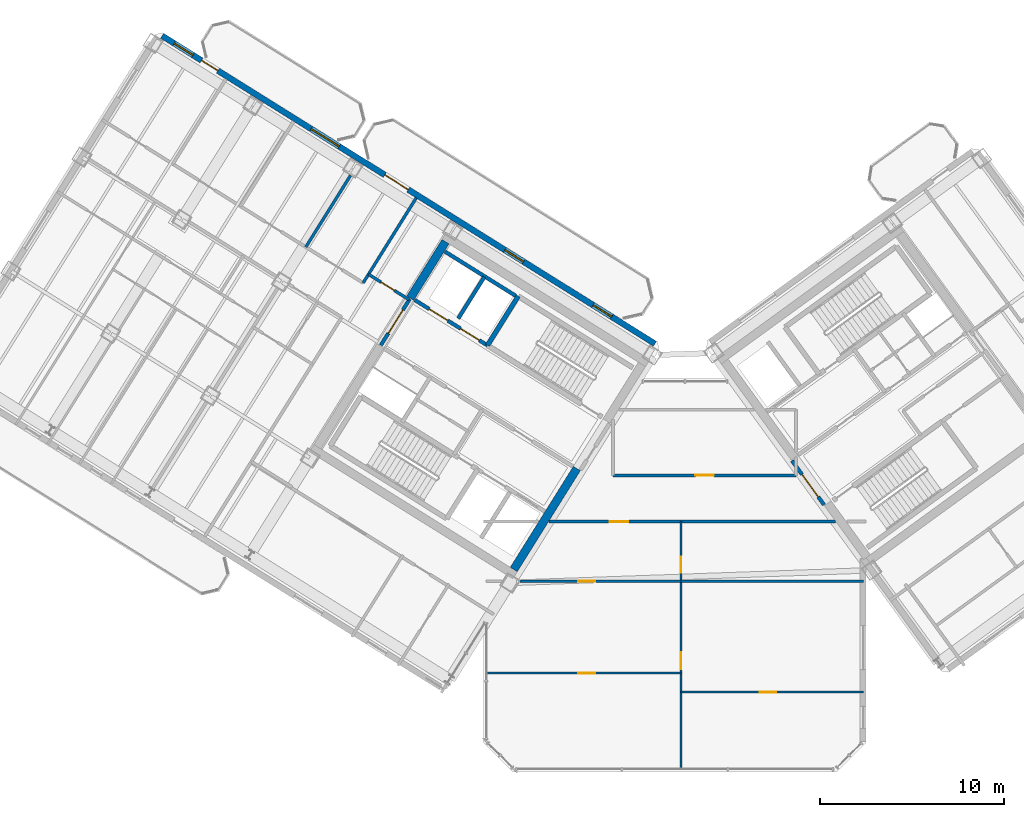
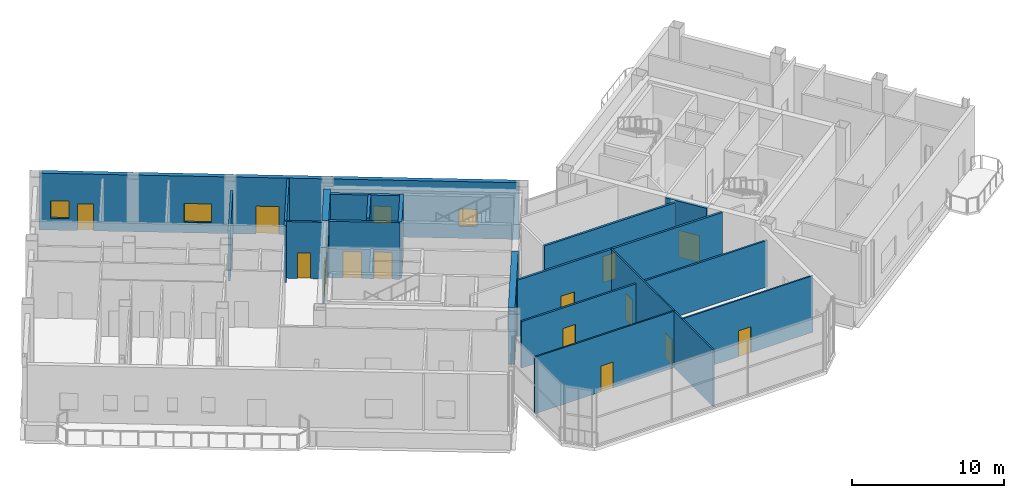
# One storey, part 18 of 26: 19 walls, 14 doors, 4 windows, 18 openings.
"""IFC4 building model written with IfcOpenShell, lengths in metres."""

import ifcopenshell
import ifcopenshell.guid

model = None  # the IFC model being written
_history = None  # IfcOwnerHistory: only IFC2X3 demands one
_inside = {}  # id of a spatial element -> (the spatial element, [elements in it])
_under = {}  # id of a project, library or spatial element -> (it, [spatial elements below it])
_declared = {}  # id of a project -> (the project, [libraries it declares])
_typed = {}  # id of a type object -> (the type object, [elements of that type])
_made_of = {}  # id of a material, layer set ... -> (it, [elements and type objects made of it])


def new_model(schema):
    """Start an empty IFC model of exactly this schema.

    Asked for "IFC4X3", IfcOpenShell would pick the latest addendum, in which some entities
    have other attributes; the version numbers below select the first issue.
    IFC2X3 requires an IfcOwnerHistory on every rooted entity: one is made here for all.
    """
    global model, _history
    if schema == "IFC4X3":
        model = ifcopenshell.file(schema_version=(4, 3, 0, 0))
    else:
        model = ifcopenshell.file(schema=schema)
    _inside.clear()
    _under.clear()
    _declared.clear()
    _typed.clear()
    _made_of.clear()
    _history = None
    if model.schema == "IFC2X3":
        org = make("IfcOrganization", Name="unknown")
        user = make(
            "IfcPersonAndOrganization",
            ThePerson=make("IfcPerson", FamilyName="unknown"),
            TheOrganization=org,
        )
        app = make(
            "IfcApplication",
            ApplicationDeveloper=org,
            Version="unknown",
            ApplicationFullName="unknown",
            ApplicationIdentifier="unknown",
        )
        _history = make(
            "IfcOwnerHistory",
            OwningUser=user,
            OwningApplication=app,
            ChangeAction="ADDED",
            CreationDate=0,
        )
    return model


def make(cls, **values):
    """One entity of the class cls with the attributes given. An attribute that is None is left unset."""
    return model.create_entity(
        cls, **{name: value for name, value in values.items() if value is not None}
    )


def rooted(cls, **values):
    """An entity with a GlobalId (a new one), such as an element, a storey or a relation."""
    return make(cls, GlobalId=ifcopenshell.guid.new(), OwnerHistory=_history, **values)


def si_unit(unit_type, name, prefix=None):
    """IfcSIUnit, for example si_unit("LENGTHUNIT", "METRE", prefix="MILLI")."""
    return make("IfcSIUnit", UnitType=unit_type, Prefix=prefix, Name=name)


def assignment(units):
    """IfcUnitAssignment: the units of a project."""
    return None if units is None else make("IfcUnitAssignment", Units=units)


def point(xyz):
    """IfcCartesianPoint."""
    return None if xyz is None else make("IfcCartesianPoint", Coordinates=xyz)


def direction(xyz):
    """IfcDirection."""
    return None if xyz is None else make("IfcDirection", DirectionRatios=xyz)


def frame(location, z_axis=None, x_axis=None):
    """IfcAxis2Placement3D, a coordinate frame: its origin and axes. An axis left out is left unset."""
    return make(
        "IfcAxis2Placement3D",
        Location=point(location),
        Axis=direction(z_axis),
        RefDirection=direction(x_axis),
    )


def frame_2d(location, x_axis=None):
    """IfcAxis2Placement2D, a coordinate frame in the plane: its origin and x axis."""
    return make(
        "IfcAxis2Placement2D", Location=point(location), RefDirection=direction(x_axis)
    )


def origin():
    """The frame at (0, 0, 0) with its axes left unset."""
    return frame((0.0, 0.0, 0.0))


def place(relative_to, where):
    """IfcLocalPlacement: puts the frame where relative to a parent placement (None: the world)."""
    return make(
        "IfcLocalPlacement", PlacementRelTo=relative_to, RelativePlacement=where
    )


def context(
    kind, dimensions, precision=None, world=None, true_north=None, identifier=None
):
    """IfcGeometricRepresentationContext, for example the 3D "Model" context."""
    return make(
        "IfcGeometricRepresentationContext",
        ContextIdentifier=identifier,
        ContextType=kind,
        CoordinateSpaceDimension=dimensions,
        Precision=precision,
        WorldCoordinateSystem=world,
        TrueNorth=true_north,
    )


def subcontext(parent, identifier, kind, view, scale=None):
    """IfcGeometricRepresentationSubContext, for example "Body" below "Model"."""
    return make(
        "IfcGeometricRepresentationSubContext",
        ContextIdentifier=identifier,
        ContextType=kind,
        ParentContext=parent,
        TargetScale=scale,
        TargetView=view,
    )


def project(units=None, contexts=None):
    """IfcProject with its units and contexts."""
    return rooted(
        "IfcProject",
        Name="project",
        RepresentationContexts=contexts,
        UnitsInContext=assignment(units),
    )


def spatial(cls, under=None, at=None, **own):
    """A site, building, storey or space (cls), placed at a placement, below another one or the project."""
    s = rooted(cls, ObjectPlacement=at, **own)
    if under is not None:
        _under.setdefault(under.id(), (under, []))[1].append(s)
    return s


def profile(cls, at=None, kind="AREA", **sizes):
    """A parametric profile (cls). Its sizes go by their IFC names, for example OverallWidth=200.0."""
    return make(cls, ProfileType=kind, Position=at, **sizes)


def rectangle(**sizes):
    """IfcRectangleProfileDef."""
    return profile("IfcRectangleProfileDef", **sizes)


def extrude(swept, where, along, depth):
    """IfcExtrudedAreaSolid: the profile swept, set in the frame where, extruded along a direction by depth."""
    return make(
        "IfcExtrudedAreaSolid",
        SweptArea=swept,
        Position=where,
        ExtrudedDirection=direction(along),
        Depth=depth,
    )


def shape(context_of_items, identifier, shape_type, items):
    """IfcShapeRepresentation: the items that make up one representation, for example the "Body"."""
    return make(
        "IfcShapeRepresentation",
        ContextOfItems=context_of_items,
        RepresentationIdentifier=identifier,
        RepresentationType=shape_type,
        Items=items,
    )


def source(mapping_origin, context_of_items, identifier, shape_type, items):
    """IfcRepresentationMap: a shape defined once, which mapped items show again and again."""
    return make(
        "IfcRepresentationMap",
        MappingOrigin=mapping_origin,
        MappedRepresentation=shape(context_of_items, identifier, shape_type, items),
    )


def transform(
    local_origin,
    x_axis=None,
    y_axis=None,
    z_axis=None,
    scale=None,
    scale2=None,
    scale3=None,
    uniform=True,
):
    """IfcCartesianTransformationOperator3D, or its non-uniform kind. x_axis, y_axis, z_axis: its Axis1, 2, 3."""
    if uniform:
        return make(
            "IfcCartesianTransformationOperator3D",
            Axis1=direction(x_axis),
            Axis2=direction(y_axis),
            LocalOrigin=point(local_origin),
            Scale=scale,
            Axis3=direction(z_axis),
        )
    return make(
        "IfcCartesianTransformationOperator3DnonUniform",
        Axis1=direction(x_axis),
        Axis2=direction(y_axis),
        LocalOrigin=point(local_origin),
        Scale=scale,
        Axis3=direction(z_axis),
        Scale2=scale2,
        Scale3=scale3,
    )


def mapped(mapping_source, mapping_target):
    """IfcMappedItem: shows the shape of a source again, moved by a transform."""
    return make(
        "IfcMappedItem", MappingSource=mapping_source, MappingTarget=mapping_target
    )


def material(Name=None, Category=None):
    """IfcMaterial."""
    return make("IfcMaterial", Name=Name, Category=Category)


def layer(
    of_material, thickness, ventilated=None, Name=None, Category=None, Priority=None
):
    """IfcMaterialLayer: one layer of a wall or slab, of a material (None: an air gap)."""
    return make(
        "IfcMaterialLayer",
        Material=of_material,
        LayerThickness=thickness,
        IsVentilated=ventilated,
        Name=Name,
        Category=Category,
        Priority=Priority,
    )


def layer_set(layers, Name=None):
    """IfcMaterialLayerSet."""
    return make("IfcMaterialLayerSet", MaterialLayers=layers, LayerSetName=Name)


def made_of(thing, what):
    """Note that an element or type object is made of a material, layer set ...; save() writes the relation."""
    if what is not None:
        _made_of.setdefault(what.id(), (what, []))[1].append(thing)
    return thing


def type_object(cls, material=None, **own):
    """A type object (cls), such as IfcWallType, which elements share."""
    return made_of(rooted(cls, **own), material)


def element(
    cls,
    number,
    at=None,
    inside=None,
    cuts=None,
    type_object=None,
    material=None,
    context=None,
    identifier="Body",
    shape_type=None,
    held_by="IfcProductDefinitionShape",
    body=None,
    shapes=None,
    **own,
):
    """One element of the class cls, such as IfcWall. Its Tag is "e" and its number.

    at: its placement. inside: the storey or other place that contains it. cuts: it is an
    opening in that element (IfcRelVoidsElement). A single representation is given by context,
    identifier, shape_type and body (its items); several are given by shapes. held_by: the class
    of the entity that holds the representations. save() writes the other relations.
    """
    e = rooted(cls, Tag="e%d" % number, ObjectPlacement=at, **own)
    if body is not None:
        shapes = [shape(context, identifier, shape_type, body)]
    if shapes is not None:
        e.Representation = make(held_by, Representations=shapes)
    if inside is not None:
        _inside.setdefault(inside.id(), (inside, []))[1].append(e)
    if cuts is not None:
        rooted(
            "IfcRelVoidsElement", RelatingBuildingElement=cuts, RelatedOpeningElement=e
        )
    if type_object is not None:
        _typed.setdefault(type_object.id(), (type_object, []))[1].append(e)
    return made_of(e, material)


def fill(opening, filler):
    """IfcRelFillsElement: the door or window that sits in an opening."""
    return rooted(
        "IfcRelFillsElement",
        RelatingOpeningElement=opening,
        RelatedBuildingElement=filler,
    )


def aggregate(whole, parts):
    """IfcRelAggregates: a whole, such as a stair, and the parts it consists of."""
    return rooted("IfcRelAggregates", RelatingObject=whole, RelatedObjects=parts)


def save(model, path):
    """Write the relations noted so far, then the file.

    IfcRelAggregates (storeys below a building ...), IfcRelContainedInSpatialStructure (elements
    in a storey), IfcRelDefinesByType, IfcRelAssociatesMaterial and IfcRelDeclares: one each for
    every whole, place, type object, material and project.
    """
    for whole, parts in _under.values():
        aggregate(whole, parts)
    for where, things in _inside.values():
        rooted(
            "IfcRelContainedInSpatialStructure",
            RelatedElements=things,
            RelatingStructure=where,
        )
    for kind, things in _typed.values():
        rooted("IfcRelDefinesByType", RelatedObjects=things, RelatingType=kind)
    for what, things in _made_of.values():
        rooted("IfcRelAssociatesMaterial", RelatedObjects=things, RelatingMaterial=what)
    for by, libraries in _declared.values():
        rooted("IfcRelDeclares", RelatingContext=by, RelatedDefinitions=libraries)
    model.write(path)


model = new_model("IFC4")

# Units and contexts
model_context = context("Model", 3, precision=1e-05, world=origin(), true_north=direction((0.0, 1.0)))
body_context = subcontext(model_context, "Body", "Model", "MODEL_VIEW")
ifc_project = project(units=[si_unit("LENGTHUNIT", "METRE"), si_unit("AREAUNIT", "SQUARE_METRE"), si_unit("VOLUMEUNIT", "CUBIC_METRE"), si_unit("PLANEANGLEUNIT", "RADIAN"), si_unit("MASSUNIT", "GRAM", prefix="KILO")], contexts=[model_context])

# Site, building, storey
site_placement = place(None, origin())
site = spatial("IfcSite", under=ifc_project, at=site_placement, CompositionType="ELEMENT")
building_placement = place(site_placement, origin())
building = spatial("IfcBuilding", under=site, at=building_placement, Name="Tlacorven Tower", CompositionType="ELEMENT")
storey_placement = place(building_placement, frame((0.0, 0.0, 233.699951171875)))
storey = spatial("IfcBuildingStorey", under=building, at=storey_placement, Name="L59", CompositionType="ELEMENT", Elevation=233.699951171875)

# Walls
ifc_material_1 = material(Name="Concrete C50/60", Category="concrete")
ifc_layer_1 = layer(ifc_material_1, 0.449951171875)
ifc_layer_set_1 = layer_set([ifc_layer_1], Name="Concrete C50/60")
wall_type_1 = type_object("IfcWallType", Name="WL-COR-450", PredefinedType="SHEAR", material=ifc_layer_set_1)
wall_1_placement = place(storey_placement, frame((36.683349609375, 18.30419921875, 0.0), z_axis=(0.0, 0.0, 1.0), x_axis=(-0.529904039071, -0.848057609704, 0.0)))
element("IfcWall", 1, at=wall_1_placement, inside=storey, type_object=wall_type_1, Name="L59 W core end wall E1.2", PredefinedType="SHEAR", context=body_context, shape_type="SweptSolid", body=[
    extrude(rectangle(XDim=6.47509765625, YDim=0.449951171875, at=frame_2d((3.237548828125, 0.0))), origin(), (0.0, 0.0, 1.0), 4.550048828125),
])
wall_2_placement = place(storey_placement, frame((29.543701171875, 30.636474609375, 0.0), z_axis=(0.0, 0.0, 1.0), x_axis=(-0.529902075036, -0.848058836916, 0.0)))
element("IfcWall", 2, at=wall_2_placement, inside=storey, type_object=wall_type_1, Name="L59 W core end wall E2.1", PredefinedType="SHEAR", context=body_context, shape_type="SweptSolid", body=[
    extrude(rectangle(XDim=3.625, YDim=0.449951171875, at=frame_2d((1.8125, 0.0))), origin(), (0.0, 0.0, 1.0), 4.550048828125),
])

# Wall, opening, door
ifc_material_2 = material(Name="Gypsum plasterboard acoustic partition", Category="gypsum")
ifc_layer_2 = layer(ifc_material_2, 0.159912109375)
ifc_layer_set_2 = layer_set([ifc_layer_2], Name="Gypsum plasterboard acoustic partition")
wall_type_2 = type_object("IfcWallType", Name="WL-DEM-160", PredefinedType="PARTITIONING", material=ifc_layer_set_2)
wall_3_placement = place(storey_placement, frame((27.56982421875, 27.4775390625, 0.0), z_axis=(0.0, 0.0, 1.0), x_axis=(-0.848050851465, 0.529914854792, 0.0)))
wall_3 = element("IfcWall", 3, at=wall_3_placement, inside=storey, type_object=wall_type_2, Name="L59 partition 39", PredefinedType="PARTITIONING", context=body_context, shape_type="SweptSolid", body=[
    extrude(rectangle(XDim=2.60986328125, YDim=0.159912109375, at=frame_2d((1.304931640625, 0.0))), origin(), (0.0, 0.0, 1.0), 4.5400390625),
])
opening_1_placement = place(wall_3_placement, frame((0.949951171875, 0.0, 0.0)))
opening_1 = element("IfcOpeningElement", 4, at=opening_1_placement, cuts=wall_3, Name="Opening D19", PredefinedType="OPENING", context=body_context, shape_type="SweptSolid", body=[
    extrude(rectangle(XDim=0.860107421875, YDim=2.050048828125, at=frame_2d((0.43017578125, 1.02490234375))), frame((0.0, 0.08984375, 0.0), z_axis=(0.0, -1.0, 0.0), x_axis=(1.0, 0.0, 0.0)), (0.0, 0.0, 1.0), 0.179931640625),
])
ifc_material_3 = material(Name="Fire-rated steel door assembly", Category="steel")
door_type_1 = type_object("IfcDoorType", Name="DR-RSR-FD60-0860", OperationType="NOTDEFINED", PredefinedType="DOOR", material=ifc_material_3)
shared_shape_1 = source(origin(), body_context, "Body", "SweptSolid", [
    extrude(rectangle(XDim=0.860107421875, YDim=2.050048828125, at=frame_2d((0.43017578125, 1.02490234375))), frame((0.0, 0.02490234375, 0.0), z_axis=(0.0, -1.0, 0.0), x_axis=(1.0, 0.0, 0.0)), (0.0, 0.0, 1.0), 0.050048828125),
])
door_1_placement = place(opening_1_placement, frame((0.860107421875, 0.0, 0.0), z_axis=(0.0, 0.0, 1.0), x_axis=(-1.0, 0.0, 0.0)))
door_1 = element("IfcDoor", 5, at=door_1_placement, inside=storey, type_object=door_type_1, Name="L59 door 022", OperationType="SINGLE_SWING_LEFT", OverallHeight=2.050048828125, OverallWidth=0.860107421875, PredefinedType="DOOR", context=body_context, shape_type="MappedRepresentation", body=[
    mapped(shared_shape_1, transform((0.0, 0.0, 0.0), scale=1.0)),
])
fill(opening_1, door_1)

# Walls
wall_4_placement = place(storey_placement, frame((27.952880859375, 33.01611328125, 0.0), z_axis=(0.0, 0.0, 1.0), x_axis=(-0.529906322364, -0.848056182997, 0.0)))
element("IfcWall", 6, at=wall_4_placement, inside=storey, type_object=wall_type_2, Name="L59 partition 41", PredefinedType="PARTITIONING", context=body_context, shape_type="SweptSolid", body=[
    extrude(rectangle(XDim=5.449951171875, YDim=0.159912109375, at=frame_2d((2.72509765625, 0.0))), origin(), (0.0, 0.0, 1.0), 4.5400390625),
])
wall_5_placement = place(storey_placement, frame((24.378662109375, 34.23291015625, 0.0), z_axis=(0.0, 0.0, 1.0), x_axis=(-0.529922402838, -0.84804613493, 0.0)))
element("IfcWall", 7, at=wall_5_placement, inside=storey, type_object=wall_type_2, Name="L59 partition 58", PredefinedType="PARTITIONING", context=body_context, shape_type="SweptSolid", body=[
    extrude(rectangle(XDim=4.587646484375, YDim=0.159912109375, at=frame_2d((2.2939453125, 0.0))), origin(), (0.0, 0.0, 1.0), 4.074951171875),
])

# Wall, opening, door
wall_6_placement = place(storey_placement, frame((35.178466796875, 15.419921875, 0.0), z_axis=(0.0, 0.0, 1.0), x_axis=(1.0, 0.0, 0.0)))
wall_6 = element("IfcWall", 8, at=wall_6_placement, inside=storey, type_object=wall_type_2, Name="L59 Knuckle Corridor South Wall", PredefinedType="PARTITIONING", context=body_context, shape_type="SweptSolid", body=[
    extrude(rectangle(XDim=15.55224609375, YDim=0.159912109375, at=frame_2d((7.776123046875, 0.0))), origin(), (0.0, 0.0, 1.0), 4.5400390625),
])
opening_2_placement = place(wall_6_placement, frame((3.293701171875, 0.0, 0.0)))
opening_2 = element("IfcOpeningElement", 9, at=opening_2_placement, cuts=wall_6, Name="Opening D11", PredefinedType="OPENING", context=body_context, shape_type="SweptSolid", body=[
    extrude(rectangle(XDim=1.0, YDim=2.10009765625, at=frame_2d((0.5, 1.050048828125))), frame((0.0, 0.08984375, 0.0), z_axis=(0.0, -1.0, 0.0), x_axis=(1.0, 0.0, 0.0)), (0.0, 0.0, 1.0), 0.179931640625),
])
door_type_2 = type_object("IfcDoorType", Name="DR-FLT-FD60-1000", OperationType="NOTDEFINED", PredefinedType="DOOR", material=ifc_material_3)
shared_shape_2 = source(origin(), body_context, "Body", "SweptSolid", [
    extrude(rectangle(XDim=1.0, YDim=2.10009765625, at=frame_2d((0.5, 1.050048828125))), frame((0.0, 0.02490234375, 0.0), z_axis=(0.0, -1.0, 0.0), x_axis=(1.0, 0.0, 0.0)), (0.0, 0.0, 1.0), 0.050048828125),
])
door_2_placement = place(opening_2_placement, frame((1.0, 0.0, 0.0), z_axis=(0.0, 0.0, 1.0), x_axis=(-1.0, 0.0, 0.0)))
door_2 = element("IfcDoor", 10, at=door_2_placement, inside=storey, type_object=door_type_2, Name="L59 door 050", OperationType="SINGLE_SWING_LEFT", OverallHeight=2.10009765625, OverallWidth=1.0, PredefinedType="DOOR", context=body_context, shape_type="MappedRepresentation", body=[
    mapped(shared_shape_2, transform((0.0, 0.0, 0.0), scale=1.0)),
])
fill(opening_2, door_2)

wall_7_placement = place(storey_placement, frame((38.64990234375, 17.929931640625, 0.0), z_axis=(0.0, 0.0, 1.0), x_axis=(1.0, 0.0, 0.0)))
wall_7 = element("IfcWall", 11, at=wall_7_placement, inside=storey, type_object=wall_type_2, Name="L59 partition 68", PredefinedType="PARTITIONING", context=body_context, shape_type="SweptSolid", body=[
    extrude(rectangle(XDim=9.9501953125, YDim=0.159912109375, at=frame_2d((4.97509765625, 0.0))), origin(), (0.0, 0.0, 1.0), 4.5400390625),
])
opening_3_placement = place(wall_7_placement, frame((4.47509765625, 0.0, 0.0)))
opening_3 = element("IfcOpeningElement", 12, at=opening_3_placement, cuts=wall_7, Name="Opening D11", PredefinedType="OPENING", context=body_context, shape_type="SweptSolid", body=[
    extrude(rectangle(XDim=1.0, YDim=2.10009765625, at=frame_2d((0.5, 1.050048828125))), frame((0.0, 0.08984375, 0.0), z_axis=(0.0, -1.0, 0.0), x_axis=(1.0, 0.0, 0.0)), (0.0, 0.0, 1.0), 0.179931640625),
])
door_3_placement = place(opening_3_placement, origin())
door_3 = element("IfcDoor", 13, at=door_3_placement, inside=storey, type_object=door_type_2, Name="L59 door 044", OperationType="SINGLE_SWING_LEFT", OverallHeight=2.10009765625, OverallWidth=1.0, PredefinedType="DOOR", context=body_context, shape_type="MappedRepresentation", body=[
    mapped(shared_shape_2, transform((0.0, 0.0, 0.0), scale=1.0)),
])
fill(opening_3, door_3)

# Wall, openings, doors, windows
ifc_material_4 = material(Name="Precast concrete C45/55", Category="concrete")
ifc_layer_3 = layer(ifc_material_4, 0.320068359375)
ifc_layer_set_3 = layer_set([ifc_layer_3], Name="Precast concrete C45/55")
wall_type_3 = type_object("IfcWallType", Name="WL-EXT-320", PredefinedType="STANDARD", material=ifc_layer_set_3)
wall_8_placement = place(storey_placement, frame((14.13818359375, 41.825439453125, 0.0), z_axis=(0.0, 0.0, 1.0), x_axis=(0.848046498049, -0.529921821731, 0.0)))
wall_8 = element("IfcWall", 14, at=wall_8_placement, inside=storey, type_object=wall_type_3, Name="L59 Masonry-Frame Recessed Facade Wall 3", PredefinedType="STANDARD", context=body_context, shape_type="SweptSolid", body=[
    extrude(rectangle(XDim=31.587646484375, YDim=0.320068359375, at=frame_2d((15.7939453125, 0.0))), origin(), (0.0, 0.0, 1.0), 4.550048828125),
])
opening_4_placement = place(wall_8_placement, frame((2.525634765625, 0.0, 0.0)))
opening_4 = element("IfcOpeningElement", 15, at=opening_4_placement, cuts=wall_8, Name="Opening D06", PredefinedType="OPENING", context=body_context, shape_type="SweptSolid", body=[
    extrude(rectangle(XDim=1.050048828125, YDim=2.14990234375, at=frame_2d((0.52490234375, 1.074951171875))), frame((0.0, 0.169921875, 0.0), z_axis=(0.0, -1.0, 0.0), x_axis=(1.0, 0.0, 0.0)), (0.0, 0.0, 1.0), 0.340087890625),
])
opening_5_placement = place(wall_8_placement, frame((14.273681640625, 0.0, 0.0)))
opening_5 = element("IfcOpeningElement", 16, at=opening_5_placement, cuts=wall_8, Name="Opening D04", PredefinedType="OPENING", context=body_context, shape_type="SweptSolid", body=[
    extrude(rectangle(XDim=1.5, YDim=2.25, at=frame_2d((0.75, 1.125))), frame((0.0, 0.169921875, 0.0), z_axis=(0.0, -1.0, 0.0), x_axis=(1.0, 0.0, 0.0)), (0.0, 0.0, 1.0), 0.340087890625),
])
opening_6_placement = place(wall_8_placement, frame((0.774658203125, 0.0, 0.949951171875)))
opening_6 = element("IfcOpeningElement", 17, at=opening_6_placement, cuts=wall_8, Name="Opening WN03", PredefinedType="OPENING", context=body_context, shape_type="SweptSolid", body=[
    extrude(rectangle(XDim=1.199951171875, YDim=1.39990234375, at=frame_2d((0.60009765625, 0.699951171875))), frame((0.0, 0.169921875, 0.0), z_axis=(0.0, -1.0, 0.0), x_axis=(1.0, 0.0, 0.0)), (0.0, 0.0, 1.0), 0.340087890625),
])
opening_7_placement = place(wall_8_placement, frame((9.5517578125, 0.0, 0.85009765625)))
opening_7 = element("IfcOpeningElement", 18, at=opening_7_placement, cuts=wall_8, Name="Opening WN01", PredefinedType="OPENING", context=body_context, shape_type="SweptSolid", body=[
    extrude(rectangle(XDim=1.800048828125, YDim=1.5, at=frame_2d((0.89990234375, 0.75))), frame((0.0, 0.169921875, 0.0), z_axis=(0.0, -1.0, 0.0), x_axis=(1.0, 0.0, 0.0)), (0.0, 0.0, 1.0), 0.340087890625),
])
opening_8_placement = place(wall_8_placement, frame((21.96875, 0.0, 0.949951171875)))
opening_8 = element("IfcOpeningElement", 19, at=opening_8_placement, cuts=wall_8, Name="Opening WN03", PredefinedType="OPENING", context=body_context, shape_type="SweptSolid", body=[
    extrude(rectangle(XDim=1.199951171875, YDim=1.39990234375, at=frame_2d((0.60009765625, 0.699951171875))), frame((0.0, 0.169921875, 0.0), z_axis=(0.0, -1.0, 0.0), x_axis=(1.0, 0.0, 0.0)), (0.0, 0.0, 1.0), 0.340087890625),
])
opening_9_placement = place(wall_8_placement, frame((27.61865234375, 0.0, 0.949951171875)))
opening_9 = element("IfcOpeningElement", 20, at=opening_9_placement, cuts=wall_8, Name="Opening WN03", PredefinedType="OPENING", context=body_context, shape_type="SweptSolid", body=[
    extrude(rectangle(XDim=1.199951171875, YDim=1.39990234375, at=frame_2d((0.60009765625, 0.699951171875))), frame((0.0, 0.169921875, 0.0), z_axis=(0.0, -1.0, 0.0), x_axis=(1.0, 0.0, 0.0)), (0.0, 0.0, 1.0), 0.340087890625),
])
ifc_material_5 = material(Name="Powder-coated aluminium and timber door", Category="wood")
door_type_3 = type_object("IfcDoorType", Name="DR-EXT-BALC-1050", OperationType="NOTDEFINED", PredefinedType="DOOR", material=ifc_material_5)
shared_shape_3 = source(origin(), body_context, "Body", "SweptSolid", [
    extrude(rectangle(XDim=1.050048828125, YDim=2.14990234375, at=frame_2d((0.52490234375, 1.074951171875))), frame((0.0, 0.02490234375, 0.0), z_axis=(0.0, -1.0, 0.0), x_axis=(1.0, 0.0, 0.0)), (0.0, 0.0, 1.0), 0.050048828125),
])
door_4_placement = place(opening_4_placement, origin())
door_4 = element("IfcDoor", 21, at=door_4_placement, inside=storey, type_object=door_type_3, Name="L59 Outdoor Access Door BAL-L59-W-IN", OperationType="SINGLE_SWING_RIGHT", OverallHeight=2.14990234375, OverallWidth=1.050048828125, PredefinedType="DOOR", context=body_context, shape_type="MappedRepresentation", body=[
    mapped(shared_shape_3, transform((0.0, 0.0, 0.0), scale=1.0)),
])
fill(opening_4, door_4)
ifc_material_6 = material(Name="Dark solar low-E double glazing in anodised aluminium frame", Category="aluminium")
window_type_1 = type_object("IfcWindowType", Name="WN-APT-1200X1500", PartitioningType="SINGLE_PANEL", PredefinedType="WINDOW", material=ifc_material_6)
shared_shape_4 = source(origin(), body_context, "Body", "SweptSolid", [
    extrude(rectangle(XDim=1.199951171875, YDim=1.39990234375, at=frame_2d((0.60009765625, 0.699951171875))), frame((0.0, 0.030029296875, 0.0), z_axis=(0.0, -1.0, 0.0), x_axis=(1.0, 0.0, 0.0)), (0.0, 0.0, 1.0), 0.06005859375),
])
window_1_placement = place(opening_6_placement, origin())
window_1 = element("IfcWindow", 22, at=window_1_placement, inside=storey, type_object=window_type_1, Name="L59 Recessed Masonry-Frame Window L59-03.1", OverallHeight=1.39990234375, OverallWidth=1.199951171875, PartitioningType="SINGLE_PANEL", PredefinedType="WINDOW", context=body_context, shape_type="MappedRepresentation", body=[
    mapped(shared_shape_4, transform((0.0, 0.0, 0.0), scale=1.0)),
])
fill(opening_6, window_1)
window_2_placement = place(opening_8_placement, origin())
window_2 = element("IfcWindow", 23, at=window_2_placement, inside=storey, type_object=window_type_1, Name="L59 Recessed Masonry-Frame Window L59-03.3", OverallHeight=1.39990234375, OverallWidth=1.199951171875, PartitioningType="SINGLE_PANEL", PredefinedType="WINDOW", context=body_context, shape_type="MappedRepresentation", body=[
    mapped(shared_shape_4, transform((0.0, 0.0, 0.0), scale=1.0)),
])
fill(opening_8, window_2)
window_3_placement = place(opening_9_placement, origin())
window_3 = element("IfcWindow", 24, at=window_3_placement, inside=storey, type_object=window_type_1, Name="L59 Recessed Masonry-Frame Window L59-03.4", OverallHeight=1.39990234375, OverallWidth=1.199951171875, PartitioningType="SINGLE_PANEL", PredefinedType="WINDOW", context=body_context, shape_type="MappedRepresentation", body=[
    mapped(shared_shape_4, transform((0.0, 0.0, 0.0), scale=1.0)),
])
fill(opening_9, window_3)
window_type_2 = type_object("IfcWindowType", Name="WN-APT-1800X1650", PartitioningType="SINGLE_PANEL", PredefinedType="WINDOW", material=ifc_material_6)
shared_shape_5 = source(origin(), body_context, "Body", "SweptSolid", [
    extrude(rectangle(XDim=1.800048828125, YDim=1.5, at=frame_2d((0.89990234375, 0.75))), frame((0.0, 0.030029296875, 0.0), z_axis=(0.0, -1.0, 0.0), x_axis=(1.0, 0.0, 0.0)), (0.0, 0.0, 1.0), 0.06005859375),
])
window_4_placement = place(opening_7_placement, origin())
window_4 = element("IfcWindow", 25, at=window_4_placement, inside=storey, type_object=window_type_2, Name="L59 Recessed Masonry-Frame Window L59-03.2", OverallHeight=1.5, OverallWidth=1.800048828125, PartitioningType="SINGLE_PANEL", PredefinedType="WINDOW", context=body_context, shape_type="MappedRepresentation", body=[
    mapped(shared_shape_5, transform((0.0, 0.0, 0.0), scale=1.0)),
])
fill(opening_7, window_4)
door_type_4 = type_object("IfcDoorType", Name="DR-EXT-TERR-1500", OperationType="DOUBLE_DOOR_SINGLE_SWING", PredefinedType="DOOR", material=ifc_material_5)
shared_shape_6 = source(origin(), body_context, "Body", "SweptSolid", [
    extrude(rectangle(XDim=1.5, YDim=2.25, at=frame_2d((0.75, 1.125))), frame((0.0, 0.02490234375, 0.0), z_axis=(0.0, -1.0, 0.0), x_axis=(1.0, 0.0, 0.0)), (0.0, 0.0, 1.0), 0.050048828125),
])
door_5_placement = place(opening_5_placement, origin())
door_5 = element("IfcDoor", 26, at=door_5_placement, inside=storey, type_object=door_type_4, Name="L59 Outdoor Access Door TER-L59-SGW", OperationType="DOUBLE_DOOR_SINGLE_SWING", OverallHeight=2.25, OverallWidth=1.5, PredefinedType="DOOR", context=body_context, shape_type="MappedRepresentation", body=[
    mapped(shared_shape_6, transform((0.0, 0.0, 0.0), scale=1.0)),
])
fill(opening_5, door_5)

# Wall, openings, doors
ifc_material_7 = material(Name="Gypsum plasterboard partition", Category="gypsum")
ifc_layer_4 = layer(ifc_material_7, 0.110107421875)
ifc_layer_set_4 = layer_set([ifc_layer_4], Name="Gypsum plasterboard partition")
wall_type_4 = type_object("IfcWallType", Name="WL-INT-110", PredefinedType="PARTITIONING", material=ifc_layer_set_4)
wall_9_placement = place(storey_placement, frame((42.343994140625, 1.9599609375, 0.0), z_axis=(0.0, 0.0, 1.0), x_axis=(0.0, 1.0, 0.0)))
wall_9 = element("IfcWall", 27, at=wall_9_placement, inside=storey, type_object=wall_type_4, Name="L59 partition 73", PredefinedType="PARTITIONING", context=body_context, shape_type="SweptSolid", body=[
    extrude(rectangle(XDim=13.4599609375, YDim=0.110107421875, at=frame_2d((6.72998046875, 0.0))), origin(), (0.0, 0.0, 1.0), 4.5400390625),
])
opening_10_placement = place(wall_9_placement, frame((5.43994140625, 0.0, 0.0)))
opening_10 = element("IfcOpeningElement", 28, at=opening_10_placement, cuts=wall_9, Name="Opening D12", PredefinedType="OPENING", context=body_context, shape_type="SweptSolid", body=[
    extrude(rectangle(XDim=0.919921875, YDim=2.080078125, at=frame_2d((0.4599609375, 1.0400390625))), frame((0.0, 0.06494140625, 0.0), z_axis=(0.0, -1.0, 0.0), x_axis=(1.0, 0.0, 0.0)), (0.0, 0.0, 1.0), 0.130126953125),
])
opening_11_placement = place(wall_9_placement, frame((10.669921875, 0.0, 0.0)))
opening_11 = element("IfcOpeningElement", 29, at=opening_11_placement, cuts=wall_9, Name="Opening D13", PredefinedType="OPENING", context=body_context, shape_type="SweptSolid", body=[
    extrude(rectangle(XDim=0.8798828125, YDim=2.080078125, at=frame_2d((0.43994140625, 1.0400390625))), frame((0.0, 0.06494140625, 0.0), z_axis=(0.0, -1.0, 0.0), x_axis=(1.0, 0.0, 0.0)), (0.0, 0.0, 1.0), 0.130126953125),
])
door_type_5 = type_object("IfcDoorType", Name="DR-INT-WET-0880", OperationType="NOTDEFINED", PredefinedType="DOOR", material=ifc_material_5)
shared_shape_7 = source(origin(), body_context, "Body", "SweptSolid", [
    extrude(rectangle(XDim=0.8798828125, YDim=2.080078125, at=frame_2d((0.43994140625, 1.0400390625))), frame((0.0, 0.02490234375, 0.0), z_axis=(0.0, -1.0, 0.0), x_axis=(1.0, 0.0, 0.0)), (0.0, 0.0, 1.0), 0.050048828125),
])
door_6_placement = place(opening_11_placement, origin())
door_6 = element("IfcDoor", 30, at=door_6_placement, inside=storey, type_object=door_type_5, Name="L59 door 052", OperationType="SINGLE_SWING_LEFT", OverallHeight=2.080078125, OverallWidth=0.8798828125, PredefinedType="DOOR", context=body_context, shape_type="MappedRepresentation", body=[
    mapped(shared_shape_7, transform((0.0, 0.0, 0.0), scale=1.0)),
])
fill(opening_11, door_6)
door_type_6 = type_object("IfcDoorType", Name="DR-INT-ROOM-0920", OperationType="NOTDEFINED", PredefinedType="DOOR", material=ifc_material_5)
shared_shape_8 = source(origin(), body_context, "Body", "SweptSolid", [
    extrude(rectangle(XDim=0.919921875, YDim=2.080078125, at=frame_2d((0.4599609375, 1.0400390625))), frame((0.0, 0.02490234375, 0.0), z_axis=(0.0, -1.0, 0.0), x_axis=(1.0, 0.0, 0.0)), (0.0, 0.0, 1.0), 0.050048828125),
])
door_7_placement = place(opening_10_placement, origin())
door_7 = element("IfcDoor", 31, at=door_7_placement, inside=storey, type_object=door_type_6, Name="L59 door 048", OperationType="SINGLE_SWING_LEFT", OverallHeight=2.080078125, OverallWidth=0.919921875, PredefinedType="DOOR", context=body_context, shape_type="MappedRepresentation", body=[
    mapped(shared_shape_8, transform((0.0, 0.0, 0.0), scale=1.0)),
])
fill(opening_10, door_7)

# Wall, opening, door
wall_10_placement = place(storey_placement, frame((31.739990234375, 7.18505859375, 0.0), z_axis=(0.0, 0.0, 1.0), x_axis=(1.0, 0.0, 0.0)))
wall_10 = element("IfcWall", 32, at=wall_10_placement, inside=storey, type_object=wall_type_4, Name="L59 partition 76", PredefinedType="PARTITIONING", context=body_context, shape_type="SweptSolid", body=[
    extrude(rectangle(XDim=10.60400390625, YDim=0.110107421875, at=frame_2d((5.302001953125, 0.0))), origin(), (0.0, 0.0, 1.0), 4.5400390625),
])
opening_12_placement = place(wall_10_placement, frame((5.02197265625, 0.0, 0.0)))
opening_12 = element("IfcOpeningElement", 33, at=opening_12_placement, cuts=wall_10, Name="Opening D12", PredefinedType="OPENING", context=body_context, shape_type="SweptSolid", body=[
    extrude(rectangle(XDim=0.919921875, YDim=2.080078125, at=frame_2d((0.4599609375, 1.0400390625))), frame((0.0, 0.06494140625, 0.0), z_axis=(0.0, -1.0, 0.0), x_axis=(1.0, 0.0, 0.0)), (0.0, 0.0, 1.0), 0.130126953125),
])
door_8_placement = place(opening_12_placement, frame((0.919921875, 0.0, 0.0), z_axis=(0.0, 0.0, 1.0), x_axis=(-1.0, 0.0, 0.0)))
door_8 = element("IfcDoor", 34, at=door_8_placement, inside=storey, type_object=door_type_6, Name="L59 door 047", OperationType="SINGLE_SWING_RIGHT", OverallHeight=2.080078125, OverallWidth=0.919921875, PredefinedType="DOOR", context=body_context, shape_type="MappedRepresentation", body=[
    mapped(shared_shape_8, transform((0.0, 0.0, 0.0), scale=1.0)),
])
fill(opening_12, door_8)

wall_11_placement = place(storey_placement, frame((42.343994140625, 6.14990234375, 0.0), z_axis=(0.0, 0.0, 1.0), x_axis=(1.0, 0.0, 0.0)))
wall_11 = element("IfcWall", 35, at=wall_11_placement, inside=storey, type_object=wall_type_4, Name="L59 partition 77", PredefinedType="PARTITIONING", context=body_context, shape_type="SweptSolid", body=[
    extrude(rectangle(XDim=9.916015625, YDim=0.110107421875, at=frame_2d((4.9580078125, 0.0))), origin(), (0.0, 0.0, 1.0), 4.5400390625),
])
opening_13_placement = place(wall_11_placement, frame((4.26806640625, 0.0, 0.0)))
opening_13 = element("IfcOpeningElement", 36, at=opening_13_placement, cuts=wall_11, Name="Opening D12", PredefinedType="OPENING", context=body_context, shape_type="SweptSolid", body=[
    extrude(rectangle(XDim=0.919921875, YDim=2.080078125, at=frame_2d((0.4599609375, 1.0400390625))), frame((0.0, 0.06494140625, 0.0), z_axis=(0.0, -1.0, 0.0), x_axis=(1.0, 0.0, 0.0)), (0.0, 0.0, 1.0), 0.130126953125),
])
door_9_placement = place(opening_13_placement, origin())
door_9 = element("IfcDoor", 37, at=door_9_placement, inside=storey, type_object=door_type_6, Name="L59 door 049", OperationType="SINGLE_SWING_RIGHT", OverallHeight=2.080078125, OverallWidth=0.919921875, PredefinedType="DOOR", context=body_context, shape_type="MappedRepresentation", body=[
    mapped(shared_shape_8, transform((0.0, 0.0, 0.0), scale=1.0)),
])
fill(opening_13, door_9)

ifc_material_8 = material(Name="Moisture-resistant gypsum plumbing wall", Category="gypsum")
ifc_layer_5 = layer(ifc_material_8, 0.139892578125)
ifc_layer_set_5 = layer_set([ifc_layer_5], Name="Moisture-resistant gypsum plumbing wall")
wall_type_5 = type_object("IfcWallType", Name="WL-PLM-140", PredefinedType="PLUMBINGWALL", material=ifc_layer_set_5)
wall_12_placement = place(storey_placement, frame((33.583984375, 12.169921875, 0.0), z_axis=(0.0, 0.0, 1.0), x_axis=(1.0, 0.0, 0.0)))
wall_12 = element("IfcWall", 38, at=wall_12_placement, inside=storey, type_object=wall_type_5, Name="L59 partition 74", PredefinedType="PLUMBINGWALL", context=body_context, shape_type="SweptSolid", body=[
    extrude(rectangle(XDim=8.760009765625, YDim=0.139892578125, at=frame_2d((4.3798828125, 0.0))), origin(), (0.0, 0.0, 1.0), 3.72509765625),
])
opening_14_placement = place(wall_12_placement, frame((3.177978515625, 0.0, 0.0)))
opening_14 = element("IfcOpeningElement", 39, at=opening_14_placement, cuts=wall_12, Name="Opening D12", PredefinedType="OPENING", context=body_context, shape_type="SweptSolid", body=[
    extrude(rectangle(XDim=0.919921875, YDim=2.080078125, at=frame_2d((0.4599609375, 1.0400390625))), frame((0.0, 0.080078125, 0.0), z_axis=(0.0, -1.0, 0.0), x_axis=(1.0, 0.0, 0.0)), (0.0, 0.0, 1.0), 0.159912109375),
])
door_10_placement = place(opening_14_placement, frame((0.919921875, 0.0, 0.0), z_axis=(0.0, 0.0, 1.0), x_axis=(-1.0, 0.0, 0.0)))
door_10 = element("IfcDoor", 40, at=door_10_placement, inside=storey, type_object=door_type_6, Name="L59 door 051", OperationType="SINGLE_SWING_RIGHT", OverallHeight=2.080078125, OverallWidth=0.919921875, PredefinedType="DOOR", context=body_context, shape_type="MappedRepresentation", body=[
    mapped(shared_shape_8, transform((0.0, 0.0, 0.0), scale=1.0)),
])
fill(opening_14, door_10)

# Wall
wall_13_placement = place(storey_placement, frame((42.343994140625, 12.169921875, 0.0), z_axis=(0.0, 0.0, 1.0), x_axis=(1.0, 0.0, 0.0)))
element("IfcWall", 41, at=wall_13_placement, inside=storey, type_object=wall_type_5, Name="L59 partition 75", PredefinedType="PLUMBINGWALL", context=body_context, shape_type="SweptSolid", body=[
    extrude(rectangle(XDim=9.916015625, YDim=0.139892578125, at=frame_2d((4.9580078125, 0.0))), origin(), (0.0, 0.0, 1.0), 3.72509765625),
])

# Wall, openings, doors
ifc_material_9 = material(Name="Concrete C40/50", Category="concrete")
ifc_layer_6 = layer(ifc_material_9, 0.199951171875)
ifc_layer_set_6 = layer_set([ifc_layer_6], Name="Concrete C40/50")
wall_type_6 = type_object("IfcWallType", Name="WL-SHF-200", PredefinedType="STANDARD", material=ifc_layer_set_6)
wall_14_placement = place(storey_placement, frame((31.82177734375, 24.99755859375, 0.0), z_axis=(0.0, 0.0, 1.0), x_axis=(-0.848054125777, 0.529909614701, 0.0)))
wall_14 = element("IfcWall", 42, at=wall_14_placement, inside=storey, type_object=wall_type_6, Name="L59 Core W South Lift Shaft Wall", PredefinedType="STANDARD", context=body_context, shape_type="SweptSolid", body=[
    extrude(rectangle(XDim=4.66796875, YDim=0.199951171875, at=frame_2d((2.333984375, 0.0))), origin(), (0.0, 0.0, 1.0), 4.5400390625),
])
opening_15_placement = place(wall_14_placement, frame((0.52001953125, 0.0, 0.0)))
opening_15 = element("IfcOpeningElement", 43, at=opening_15_placement, cuts=wall_14, Name="Opening LD02", PredefinedType="OPENING", context=body_context, shape_type="SweptSolid", body=[
    extrude(rectangle(XDim=1.199951171875, YDim=2.14990234375, at=frame_2d((0.60009765625, 1.074951171875))), frame((0.0, 0.10986328125, 0.0), z_axis=(0.0, -1.0, 0.0), x_axis=(1.0, 0.0, 0.0)), (0.0, 0.0, 1.0), 0.219970703125),
])
opening_16_placement = place(wall_14_placement, frame((2.5400390625, 0.0, 0.0)))
opening_16 = element("IfcOpeningElement", 44, at=opening_16_placement, cuts=wall_14, Name="Opening LD02", PredefinedType="OPENING", context=body_context, shape_type="SweptSolid", body=[
    extrude(rectangle(XDim=1.199951171875, YDim=2.14990234375, at=frame_2d((0.60009765625, 1.074951171875))), frame((0.0, 0.10986328125, 0.0), z_axis=(0.0, -1.0, 0.0), x_axis=(1.0, 0.0, 0.0)), (0.0, 0.0, 1.0), 0.219970703125),
])
door_type_7 = type_object("IfcDoorType", Name="DR-LFT-SLID-1200", OperationType="DOUBLE_DOOR_SLIDING", PredefinedType="DOOR", material=ifc_material_3)
shared_shape_9 = source(origin(), body_context, "Body", "SweptSolid", [
    extrude(rectangle(XDim=1.199951171875, YDim=2.14990234375, at=frame_2d((0.60009765625, 1.074951171875))), frame((0.0, 0.02490234375, 0.0), z_axis=(0.0, -1.0, 0.0), x_axis=(1.0, 0.0, 0.0)), (0.0, 0.0, 1.0), 0.050048828125),
])
door_11_placement = place(opening_15_placement, origin())
door_11 = element("IfcDoor", 45, at=door_11_placement, inside=storey, type_object=door_type_7, Name="L59 Lift PL-H1 Sliding Landing Door", OperationType="DOUBLE_DOOR_SLIDING", OverallHeight=2.14990234375, OverallWidth=1.199951171875, PredefinedType="DOOR", context=body_context, shape_type="MappedRepresentation", body=[
    mapped(shared_shape_9, transform((0.0, 0.0, 0.0), scale=1.0)),
])
fill(opening_15, door_11)
door_12_placement = place(opening_16_placement, origin())
door_12 = element("IfcDoor", 46, at=door_12_placement, inside=storey, type_object=door_type_7, Name="L59 Lift PL-H2 Sliding Landing Door", OperationType="DOUBLE_DOOR_SLIDING", OverallHeight=2.14990234375, OverallWidth=1.199951171875, PredefinedType="DOOR", context=body_context, shape_type="MappedRepresentation", body=[
    mapped(shared_shape_9, transform((0.0, 0.0, 0.0), scale=1.0)),
])
fill(opening_16, door_12)

# Walls
wall_15_placement = place(storey_placement, frame((31.645263671875, 28.716064453125, 0.0), z_axis=(0.0, 0.0, 1.0), x_axis=(-0.52986693015, -0.848080795876, 0.0)))
element("IfcWall", 47, at=wall_15_placement, inside=storey, type_object=wall_type_6, Name="L59 partition 12", PredefinedType="STANDARD", context=body_context, shape_type="SweptSolid", body=[
    extrude(rectangle(XDim=2.659912109375, YDim=0.199951171875, at=frame_2d((1.330078125, 0.0))), origin(), (0.0, 0.0, 1.0), 4.5400390625),
])
wall_16_placement = place(storey_placement, frame((33.362548828125, 27.690185546875, 0.0), z_axis=(0.0, 0.0, 1.0), x_axis=(-0.84804957148, 0.529916903215, 0.0)))
element("IfcWall", 48, at=wall_16_placement, inside=storey, type_object=wall_type_6, Name="L59 partition 14", PredefinedType="STANDARD", context=body_context, shape_type="SweptSolid", body=[
    extrude(rectangle(XDim=4.547607421875, YDim=0.199951171875, at=frame_2d((2.27392578125, 0.0))), origin(), (0.0, 0.0, 1.0), 4.5400390625),
])

# Wall, opening, door
wall_17_placement = place(storey_placement, frame((27.59619140625, 27.52001953125, 0.0), z_axis=(0.0, 0.0, 1.0), x_axis=(-0.529865479138, -0.848081702443, 0.0)))
wall_17 = element("IfcWall", 49, at=wall_17_placement, inside=storey, type_object=wall_type_6, Name="L59 partition 38", PredefinedType="STANDARD", context=body_context, shape_type="SweptSolid", body=[
    extrude(rectangle(XDim=2.9599609375, YDim=0.199951171875, at=frame_2d((1.47998046875, 0.0))), origin(), (0.0, 0.0, 1.0), 4.5400390625),
])
opening_17_placement = place(wall_17_placement, frame((0.699951171875, 0.0, 0.0)))
opening_17 = element("IfcOpeningElement", 50, at=opening_17_placement, cuts=wall_17, Name="Opening D10", PredefinedType="OPENING", context=body_context, shape_type="SweptSolid", body=[
    extrude(rectangle(XDim=1.5, YDim=2.14990234375, at=frame_2d((0.75, 1.074951171875))), frame((0.0, 0.10986328125, 0.0), z_axis=(0.0, -1.0, 0.0), x_axis=(1.0, 0.0, 0.0)), (0.0, 0.0, 1.0), 0.219970703125),
])
door_type_8 = type_object("IfcDoorType", Name="DR-LOB-FD60-1500", OperationType="DOUBLE_DOOR_SINGLE_SWING", PredefinedType="DOOR", material=ifc_material_3)
shared_shape_10 = source(origin(), body_context, "Body", "SweptSolid", [
    extrude(rectangle(XDim=1.5, YDim=2.14990234375, at=frame_2d((0.75, 1.074951171875))), frame((0.0, 0.02490234375, 0.0), z_axis=(0.0, -1.0, 0.0), x_axis=(1.0, 0.0, 0.0)), (0.0, 0.0, 1.0), 0.050048828125),
])
door_13_placement = place(opening_17_placement, origin())
door_13 = element("IfcDoor", 51, at=door_13_placement, inside=storey, type_object=door_type_8, Name="L59 door 023", OperationType="DOUBLE_DOOR_SINGLE_SWING", OverallHeight=2.14990234375, OverallWidth=1.5, PredefinedType="DOOR", context=body_context, shape_type="MappedRepresentation", body=[
    mapped(shared_shape_10, transform((0.0, 0.0, 0.0), scale=1.0)),
])
fill(opening_17, door_13)

wall_18_placement = place(storey_placement, frame((50.119140625, 16.3330078125, 0.0), z_axis=(0.0, 0.0, 1.0), x_axis=(-0.587749856981, 0.809042709391, 0.0)))
wall_18 = element("IfcWall", 52, at=wall_18_placement, inside=storey, type_object=wall_type_6, Name="L59 partition 72", PredefinedType="STANDARD", context=body_context, shape_type="SweptSolid", body=[
    extrude(rectangle(XDim=2.9599609375, YDim=0.199951171875, at=frame_2d((1.47998046875, 0.0))), origin(), (0.0, 0.0, 1.0), 4.5400390625),
])
opening_18_placement = place(wall_18_placement, frame((0.530029296875, 0.0, 0.0)))
opening_18 = element("IfcOpeningElement", 53, at=opening_18_placement, cuts=wall_18, Name="Opening D10", PredefinedType="OPENING", context=body_context, shape_type="SweptSolid", body=[
    extrude(rectangle(XDim=1.5, YDim=2.14990234375, at=frame_2d((0.75, 1.074951171875))), frame((0.0, 0.10986328125, 0.0), z_axis=(0.0, -1.0, 0.0), x_axis=(1.0, 0.0, 0.0)), (0.0, 0.0, 1.0), 0.219970703125),
])
door_14_placement = place(opening_18_placement, frame((1.5, 0.0, 0.0), z_axis=(0.0, 0.0, 1.0), x_axis=(-1.0, 0.0, 0.0)))
door_14 = element("IfcDoor", 54, at=door_14_placement, inside=storey, type_object=door_type_8, Name="L59 door 046", OperationType="DOUBLE_DOOR_SINGLE_SWING", OverallHeight=2.14990234375, OverallWidth=1.5, PredefinedType="DOOR", context=body_context, shape_type="MappedRepresentation", body=[
    mapped(shared_shape_10, transform((0.0, 0.0, 0.0), scale=1.0)),
])
fill(opening_18, door_14)

# Wall
ifc_layer_7 = layer(ifc_material_1, 0.260009765625)
ifc_layer_set_7 = layer_set([ifc_layer_7], Name="Concrete C50/60")
wall_type_7 = type_object("IfcWallType", Name="WL-STW-260", PredefinedType="SHEAR", material=ifc_layer_set_7)
wall_19_placement = place(storey_placement, frame((33.496337890625, 27.677490234375, 0.0), z_axis=(0.0, 0.0, 1.0), x_axis=(-0.529908658664, -0.84805472316, 0.0)))
element("IfcWall", 55, at=wall_19_placement, inside=storey, type_object=wall_type_7, Name="L59 Stair W2 East Shear Wall", PredefinedType="SHEAR", context=body_context, shape_type="SweptSolid", body=[
    extrude(rectangle(XDim=3.16015625, YDim=0.260009765625, at=frame_2d((1.580078125, 0.0))), origin(), (0.0, 0.0, 1.0), 4.550048828125),
])

save(model, "model.ifc")
